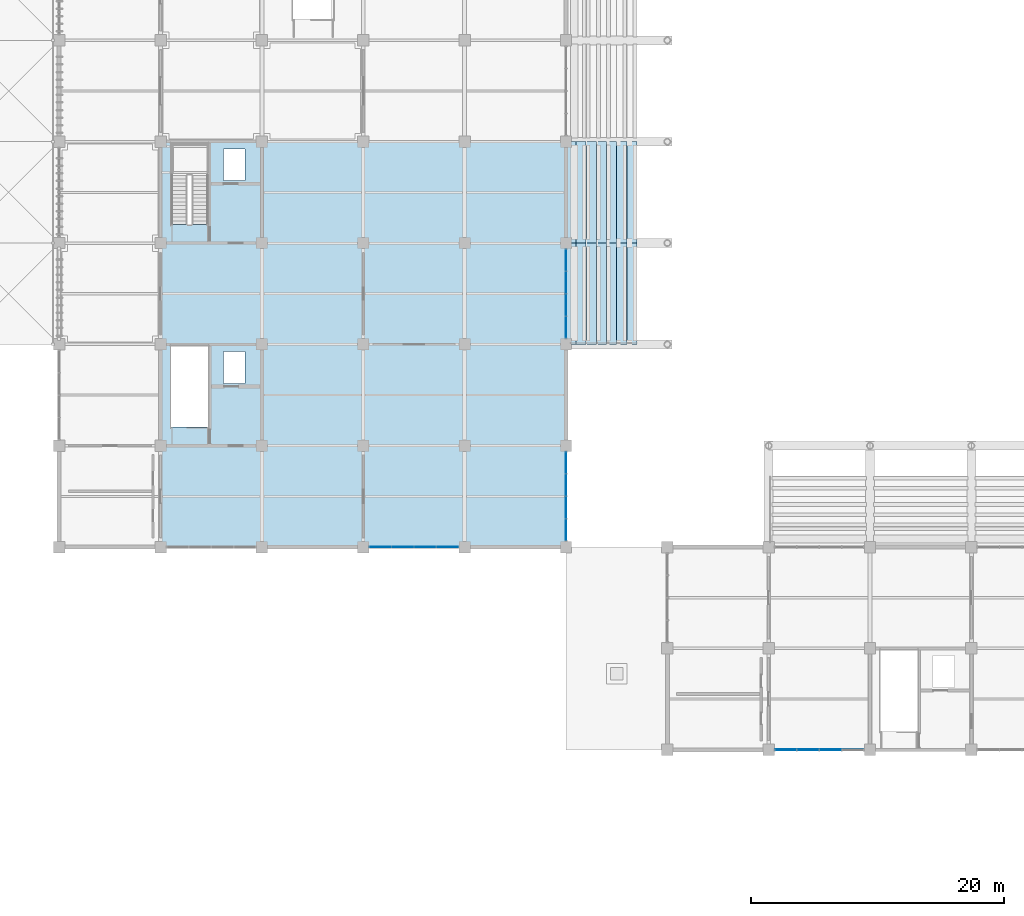
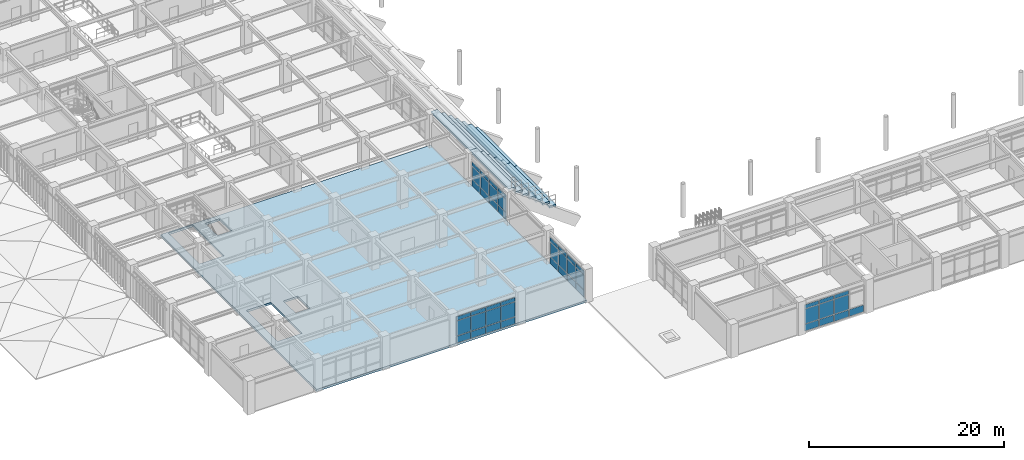
# One storey, part 65 of 118: 46 plates, 15 slabs, 4 elements without a shape of their own.
"""IFC4 building model written with IfcOpenShell, lengths in metres."""

from ifc_helpers import new_model, si_unit, direction, frame, origin, origin_2d, place, context, subcontext, project, spatial, polyline, rectangle, outline, extrude, material, layer, layer_set, type_object, element, aggregate, save


model = new_model("IFC4")

# Units and contexts
model_context = context("Model", 3, precision=1e-05, world=origin(), true_north=direction((0.0, 1.0)))
body_context = subcontext(model_context, "Body", "Model", "MODEL_VIEW")
ifc_project = project(units=[si_unit("LENGTHUNIT", "METRE"), si_unit("AREAUNIT", "SQUARE_METRE"), si_unit("VOLUMEUNIT", "CUBIC_METRE"), si_unit("PLANEANGLEUNIT", "RADIAN"), si_unit("MASSUNIT", "GRAM", prefix="KILO")], contexts=[model_context])

# Site, building, storey
site_placement = place(None, origin())
site = spatial("IfcSite", under=ifc_project, at=site_placement, CompositionType="ELEMENT")
building_placement = place(site_placement, origin())
building = spatial("IfcBuilding", under=site, at=building_placement, Name="Haebicheon Civic Stadium", CompositionType="ELEMENT")
storey_placement = place(building_placement, frame((0.0, 0.0, 14.39990234375)))
storey = spatial("IfcBuildingStorey", under=building, at=storey_placement, Name="L04", CompositionType="ELEMENT", Elevation=14.39990234375)

# Curtain wall, plates
ifc_material_1 = material(Name="Anodised aluminium and laminated glass", Category="aluminium")
ifc_layer_1 = layer(ifc_material_1, 0.179931640625, Name="Anodised aluminium and laminated glass")
ifc_layer_set_1 = layer_set([ifc_layer_1], Name="Anodised aluminium and laminated glass")
curtain_wall_type_1 = type_object("IfcCurtainWallType", Name="CW-7100x3350", PredefinedType="NOTDEFINED", material=ifc_layer_set_1)
curtain_wall_1_placement = place(storey_placement, origin())
curtain_wall_1 = element("IfcCurtainWall", 1, at=curtain_wall_1_placement, inside=storey, type_object=curtain_wall_type_1, material=ifc_layer_set_1, Name="L04 unitised curtain wall 115", PredefinedType="NOTDEFINED")
ifc_material_2 = material(Name="Double low-e acoustic laminated glass", Category="glass")
ifc_layer_2 = layer(ifc_material_2, 0.035888671875, Name="Double low-e acoustic laminated glass")
ifc_layer_set_2 = layer_set([ifc_layer_2], Name="Double low-e acoustic laminated glass")
plate_type_1 = type_object("IfcPlateType", Name="CWP-GLZ-36", PredefinedType="CURTAIN_PANEL", material=ifc_layer_set_2)
plate_1_placement = place(storey_placement, frame((49.35498046875, 32.0, 0.93505859375), z_axis=(0.0, 0.0, 1.0), x_axis=(1.0, 0.0, 0.0)))
plate_1 = element("IfcPlate", 2, at=plate_1_placement, type_object=plate_type_1, material=ifc_layer_set_2, Name="CW-L04-115 vision panel 1.2", PredefinedType="CURTAIN_PANEL", context=body_context, shape_type="SweptSolid", body=[
    extrude(rectangle(XDim=1.669921875, YDim=0.035888671875, at=origin_2d()), origin(), (0.0, 0.0, 1.0), 1.830078125),
])
plate_2_placement = place(storey_placement, frame((51.112060546875, 32.0, 0.93505859375), z_axis=(0.0, 0.0, 1.0), x_axis=(1.0, 0.0, 0.0)))
plate_2 = element("IfcPlate", 3, at=plate_2_placement, type_object=plate_type_1, material=ifc_layer_set_2, Name="CW-L04-115 vision panel 2.2", PredefinedType="CURTAIN_PANEL", context=body_context, shape_type="SweptSolid", body=[
    extrude(rectangle(XDim=1.705078125, YDim=0.035888671875, at=origin_2d()), origin(), (0.0, 0.0, 1.0), 1.830078125),
])
plate_3_placement = place(storey_placement, frame((52.887939453125, 32.0, 0.93505859375), z_axis=(0.0, 0.0, 1.0), x_axis=(1.0, 0.0, 0.0)))
plate_3 = element("IfcPlate", 4, at=plate_3_placement, type_object=plate_type_1, material=ifc_layer_set_2, Name="CW-L04-115 vision panel 3.2", PredefinedType="CURTAIN_PANEL", context=body_context, shape_type="SweptSolid", body=[
    extrude(rectangle(XDim=1.705078125, YDim=0.035888671875, at=origin_2d()), origin(), (0.0, 0.0, 1.0), 1.830078125),
])
plate_4_placement = place(storey_placement, frame((54.64501953125, 32.0, 0.93505859375), z_axis=(0.0, 0.0, 1.0), x_axis=(1.0, 0.0, 0.0)))
plate_4 = element("IfcPlate", 5, at=plate_4_placement, type_object=plate_type_1, material=ifc_layer_set_2, Name="CW-L04-115 vision panel 4.2", PredefinedType="CURTAIN_PANEL", context=body_context, shape_type="SweptSolid", body=[
    extrude(rectangle(XDim=1.669921875, YDim=0.035888671875, at=origin_2d()), origin(), (0.0, 0.0, 1.0), 1.830078125),
])

curtain_wall_2_placement = place(storey_placement, origin())
curtain_wall_2 = element("IfcCurtainWall", 6, at=curtain_wall_2_placement, inside=storey, type_object=curtain_wall_type_1, material=ifc_layer_set_1, Name="L04 unitised curtain wall 116", PredefinedType="NOTDEFINED")
plate_5_placement = place(storey_placement, frame((64.0, 33.35498046875, 0.93505859375), z_axis=(0.0, 0.0, 1.0), x_axis=(0.0, 1.0, 0.0)))
plate_5 = element("IfcPlate", 7, at=plate_5_placement, type_object=plate_type_1, material=ifc_layer_set_2, Name="CW-L04-116 vision panel 1.2", PredefinedType="CURTAIN_PANEL", context=body_context, shape_type="SweptSolid", body=[
    extrude(rectangle(XDim=1.669921875, YDim=0.035888671875, at=origin_2d()), origin(), (0.0, 0.0, 1.0), 1.830078125),
])
plate_6_placement = place(storey_placement, frame((64.0, 35.112060546875, 0.93505859375), z_axis=(0.0, 0.0, 1.0), x_axis=(0.0, 1.0, 0.0)))
plate_6 = element("IfcPlate", 8, at=plate_6_placement, type_object=plate_type_1, material=ifc_layer_set_2, Name="CW-L04-116 vision panel 2.2", PredefinedType="CURTAIN_PANEL", context=body_context, shape_type="SweptSolid", body=[
    extrude(rectangle(XDim=1.705078125, YDim=0.035888671875, at=origin_2d()), origin(), (0.0, 0.0, 1.0), 1.830078125),
])
plate_7_placement = place(storey_placement, frame((64.0, 36.887939453125, 0.93505859375), z_axis=(0.0, 0.0, 1.0), x_axis=(0.0, 1.0, 0.0)))
plate_7 = element("IfcPlate", 9, at=plate_7_placement, type_object=plate_type_1, material=ifc_layer_set_2, Name="CW-L04-116 vision panel 3.2", PredefinedType="CURTAIN_PANEL", context=body_context, shape_type="SweptSolid", body=[
    extrude(rectangle(XDim=1.705078125, YDim=0.035888671875, at=origin_2d()), origin(), (0.0, 0.0, 1.0), 1.830078125),
])
plate_8_placement = place(storey_placement, frame((64.0, 38.64501953125, 0.93505859375), z_axis=(0.0, 0.0, 1.0), x_axis=(0.0, 1.0, 0.0)))
plate_8 = element("IfcPlate", 10, at=plate_8_placement, type_object=plate_type_1, material=ifc_layer_set_2, Name="CW-L04-116 vision panel 4.2", PredefinedType="CURTAIN_PANEL", context=body_context, shape_type="SweptSolid", body=[
    extrude(rectangle(XDim=1.669921875, YDim=0.035888671875, at=origin_2d()), origin(), (0.0, 0.0, 1.0), 1.830078125),
])

ifc_material_3 = material(Name="Anodised aluminium and laminated glass", Category="aluminium")
ifc_layer_3 = layer(ifc_material_3, 0.179931640625, Name="Anodised aluminium and laminated glass")
ifc_layer_set_3 = layer_set([ifc_layer_3], Name="Anodised aluminium and laminated glass")
curtain_wall_type_2 = type_object("IfcCurtainWallType", Name="CW-7100x3100", PredefinedType="NOTDEFINED", material=ifc_layer_set_3)
curtain_wall_3_placement = place(storey_placement, origin())
curtain_wall_3 = element("IfcCurtainWall", 11, at=curtain_wall_3_placement, inside=storey, type_object=curtain_wall_type_2, material=ifc_layer_set_3, Name="L04 unitised curtain wall 117", PredefinedType="NOTDEFINED")
plate_9_placement = place(storey_placement, frame((64.0, 49.35498046875, 0.93505859375), z_axis=(0.0, 0.0, 1.0), x_axis=(0.0, 1.0, 0.0)))
plate_9 = element("IfcPlate", 12, at=plate_9_placement, type_object=plate_type_1, material=ifc_layer_set_2, Name="CW-L04-117 vision panel 1.2", PredefinedType="CURTAIN_PANEL", context=body_context, shape_type="SweptSolid", body=[
    extrude(rectangle(XDim=1.669921875, YDim=0.035888671875, at=origin_2d()), origin(), (0.0, 0.0, 1.0), 1.580078125),
])
plate_10_placement = place(storey_placement, frame((64.0, 51.112060546875, 0.93505859375), z_axis=(0.0, 0.0, 1.0), x_axis=(0.0, 1.0, 0.0)))
plate_10 = element("IfcPlate", 13, at=plate_10_placement, type_object=plate_type_1, material=ifc_layer_set_2, Name="CW-L04-117 vision panel 2.2", PredefinedType="CURTAIN_PANEL", context=body_context, shape_type="SweptSolid", body=[
    extrude(rectangle(XDim=1.705078125, YDim=0.035888671875, at=origin_2d()), origin(), (0.0, 0.0, 1.0), 1.580078125),
])
plate_11_placement = place(storey_placement, frame((64.0, 52.887939453125, 0.93505859375), z_axis=(0.0, 0.0, 1.0), x_axis=(0.0, 1.0, 0.0)))
plate_11 = element("IfcPlate", 14, at=plate_11_placement, type_object=plate_type_1, material=ifc_layer_set_2, Name="CW-L04-117 vision panel 3.2", PredefinedType="CURTAIN_PANEL", context=body_context, shape_type="SweptSolid", body=[
    extrude(rectangle(XDim=1.705078125, YDim=0.035888671875, at=origin_2d()), origin(), (0.0, 0.0, 1.0), 1.580078125),
])
plate_12_placement = place(storey_placement, frame((64.0, 54.64501953125, 0.93505859375), z_axis=(0.0, 0.0, 1.0), x_axis=(0.0, 1.0, 0.0)))
plate_12 = element("IfcPlate", 15, at=plate_12_placement, type_object=plate_type_1, material=ifc_layer_set_2, Name="CW-L04-117 vision panel 4.2", PredefinedType="CURTAIN_PANEL", context=body_context, shape_type="SweptSolid", body=[
    extrude(rectangle(XDim=1.669921875, YDim=0.035888671875, at=origin_2d()), origin(), (0.0, 0.0, 1.0), 1.580078125),
])

curtain_wall_4_placement = place(storey_placement, origin())
curtain_wall_4 = element("IfcCurtainWall", 16, at=curtain_wall_4_placement, inside=storey, type_object=curtain_wall_type_1, material=ifc_layer_set_1, Name="L04 unitised curtain wall 129", PredefinedType="NOTDEFINED")
plate_13_placement = place(storey_placement, frame((81.35498046875, 16.0, 0.93505859375), z_axis=(0.0, 0.0, 1.0), x_axis=(1.0, 0.0, 0.0)))
plate_13 = element("IfcPlate", 17, at=plate_13_placement, type_object=plate_type_1, material=ifc_layer_set_2, Name="CW-L04-129 vision panel 1.2", PredefinedType="CURTAIN_PANEL", context=body_context, shape_type="SweptSolid", body=[
    extrude(rectangle(XDim=1.669921875, YDim=0.035888671875, at=origin_2d()), origin(), (0.0, 0.0, 1.0), 1.830078125),
])
plate_14_placement = place(storey_placement, frame((83.112060546875, 16.0, 0.93505859375), z_axis=(0.0, 0.0, 1.0), x_axis=(1.0, 0.0, 0.0)))
plate_14 = element("IfcPlate", 18, at=plate_14_placement, type_object=plate_type_1, material=ifc_layer_set_2, Name="CW-L04-129 vision panel 2.2", PredefinedType="CURTAIN_PANEL", context=body_context, shape_type="SweptSolid", body=[
    extrude(rectangle(XDim=1.705078125, YDim=0.035888671875, at=origin_2d()), origin(), (0.0, 0.0, 1.0), 1.830078125),
])
plate_15_placement = place(storey_placement, frame((84.887939453125, 16.0, 0.93505859375), z_axis=(0.0, 0.0, 1.0), x_axis=(1.0, 0.0, 0.0)))
plate_15 = element("IfcPlate", 19, at=plate_15_placement, type_object=plate_type_1, material=ifc_layer_set_2, Name="CW-L04-129 vision panel 3.2", PredefinedType="CURTAIN_PANEL", context=body_context, shape_type="SweptSolid", body=[
    extrude(rectangle(XDim=1.705078125, YDim=0.035888671875, at=origin_2d()), origin(), (0.0, 0.0, 1.0), 1.830078125),
])

# Plate
ifc_material_4 = material(Name="Anodised aluminium 6063-T6", Category="aluminium")
ifc_layer_4 = layer(ifc_material_4, 0.053955078125, Name="Anodised aluminium 6063-T6")
ifc_layer_set_4 = layer_set([ifc_layer_4], Name="Anodised aluminium 6063-T6")
plate_type_2 = type_object("IfcPlateType", Name="CWP-SPD-54", PredefinedType="CURTAIN_PANEL", material=ifc_layer_set_4)
plate_16_placement = place(storey_placement, frame((49.35498046875, 32.0, 0.03515625), z_axis=(0.0, 0.0, 1.0), x_axis=(1.0, 0.0, 0.0)))
plate_16 = element("IfcPlate", 20, at=plate_16_placement, type_object=plate_type_2, material=ifc_layer_set_4, Name="CW-L04-115 spandrel panel 1.1", PredefinedType="CURTAIN_PANEL", context=body_context, shape_type="SweptSolid", body=[
    extrude(rectangle(XDim=1.669921875, YDim=0.053955078125, at=origin_2d()), origin(), (0.0, 0.0, 1.0), 0.830078125),
])

plate_17_placement = place(storey_placement, frame((49.35498046875, 32.0, 2.835205078125), z_axis=(0.0, 0.0, 1.0), x_axis=(1.0, 0.0, 0.0)))
plate_17 = element("IfcPlate", 21, at=plate_17_placement, type_object=plate_type_2, material=ifc_layer_set_4, Name="CW-L04-115 spandrel panel 1.3", PredefinedType="CURTAIN_PANEL", context=body_context, shape_type="SweptSolid", body=[
    extrude(rectangle(XDim=1.669921875, YDim=0.053955078125, at=origin_2d()), origin(), (0.0, 0.0, 1.0), 0.47998046875),
])

plate_18_placement = place(storey_placement, frame((51.112060546875, 32.0, 0.03515625), z_axis=(0.0, 0.0, 1.0), x_axis=(1.0, 0.0, 0.0)))
plate_18 = element("IfcPlate", 22, at=plate_18_placement, type_object=plate_type_2, material=ifc_layer_set_4, Name="CW-L04-115 spandrel panel 2.1", PredefinedType="CURTAIN_PANEL", context=body_context, shape_type="SweptSolid", body=[
    extrude(rectangle(XDim=1.705078125, YDim=0.053955078125, at=origin_2d()), origin(), (0.0, 0.0, 1.0), 0.830078125),
])

plate_19_placement = place(storey_placement, frame((51.112060546875, 32.0, 2.835205078125), z_axis=(0.0, 0.0, 1.0), x_axis=(1.0, 0.0, 0.0)))
plate_19 = element("IfcPlate", 23, at=plate_19_placement, type_object=plate_type_2, material=ifc_layer_set_4, Name="CW-L04-115 spandrel panel 2.3", PredefinedType="CURTAIN_PANEL", context=body_context, shape_type="SweptSolid", body=[
    extrude(rectangle(XDim=1.705078125, YDim=0.053955078125, at=origin_2d()), origin(), (0.0, 0.0, 1.0), 0.47998046875),
])

plate_20_placement = place(storey_placement, frame((52.887939453125, 32.0, 0.03515625), z_axis=(0.0, 0.0, 1.0), x_axis=(1.0, 0.0, 0.0)))
plate_20 = element("IfcPlate", 24, at=plate_20_placement, type_object=plate_type_2, material=ifc_layer_set_4, Name="CW-L04-115 spandrel panel 3.1", PredefinedType="CURTAIN_PANEL", context=body_context, shape_type="SweptSolid", body=[
    extrude(rectangle(XDim=1.705078125, YDim=0.053955078125, at=origin_2d()), origin(), (0.0, 0.0, 1.0), 0.830078125),
])

plate_21_placement = place(storey_placement, frame((52.887939453125, 32.0, 2.835205078125), z_axis=(0.0, 0.0, 1.0), x_axis=(1.0, 0.0, 0.0)))
plate_21 = element("IfcPlate", 25, at=plate_21_placement, type_object=plate_type_2, material=ifc_layer_set_4, Name="CW-L04-115 spandrel panel 3.3", PredefinedType="CURTAIN_PANEL", context=body_context, shape_type="SweptSolid", body=[
    extrude(rectangle(XDim=1.705078125, YDim=0.053955078125, at=origin_2d()), origin(), (0.0, 0.0, 1.0), 0.47998046875),
])

plate_22_placement = place(storey_placement, frame((54.64501953125, 32.0, 0.03515625), z_axis=(0.0, 0.0, 1.0), x_axis=(1.0, 0.0, 0.0)))
plate_22 = element("IfcPlate", 26, at=plate_22_placement, type_object=plate_type_2, material=ifc_layer_set_4, Name="CW-L04-115 spandrel panel 4.1", PredefinedType="CURTAIN_PANEL", context=body_context, shape_type="SweptSolid", body=[
    extrude(rectangle(XDim=1.669921875, YDim=0.053955078125, at=origin_2d()), origin(), (0.0, 0.0, 1.0), 0.830078125),
])

plate_23_placement = place(storey_placement, frame((54.64501953125, 32.0, 2.835205078125), z_axis=(0.0, 0.0, 1.0), x_axis=(1.0, 0.0, 0.0)))
plate_23 = element("IfcPlate", 27, at=plate_23_placement, type_object=plate_type_2, material=ifc_layer_set_4, Name="CW-L04-115 spandrel panel 4.3", PredefinedType="CURTAIN_PANEL", context=body_context, shape_type="SweptSolid", body=[
    extrude(rectangle(XDim=1.669921875, YDim=0.053955078125, at=origin_2d()), origin(), (0.0, 0.0, 1.0), 0.47998046875),
])

aggregate(curtain_wall_1, [plate_16, plate_1, plate_17, plate_18, plate_2, plate_19, plate_20, plate_3, plate_21, plate_22, plate_4, plate_23])

plate_24_placement = place(storey_placement, frame((64.0, 33.35498046875, 0.03515625), z_axis=(0.0, 0.0, 1.0), x_axis=(0.0, 1.0, 0.0)))
plate_24 = element("IfcPlate", 28, at=plate_24_placement, type_object=plate_type_2, material=ifc_layer_set_4, Name="CW-L04-116 spandrel panel 1.1", PredefinedType="CURTAIN_PANEL", context=body_context, shape_type="SweptSolid", body=[
    extrude(rectangle(XDim=1.669921875, YDim=0.053955078125, at=origin_2d()), origin(), (0.0, 0.0, 1.0), 0.830078125),
])

plate_25_placement = place(storey_placement, frame((64.0, 33.35498046875, 2.835205078125), z_axis=(0.0, 0.0, 1.0), x_axis=(0.0, 1.0, 0.0)))
plate_25 = element("IfcPlate", 29, at=plate_25_placement, type_object=plate_type_2, material=ifc_layer_set_4, Name="CW-L04-116 spandrel panel 1.3", PredefinedType="CURTAIN_PANEL", context=body_context, shape_type="SweptSolid", body=[
    extrude(rectangle(XDim=1.669921875, YDim=0.053955078125, at=origin_2d()), origin(), (0.0, 0.0, 1.0), 0.47998046875),
])

plate_26_placement = place(storey_placement, frame((64.0, 35.112060546875, 0.03515625), z_axis=(0.0, 0.0, 1.0), x_axis=(0.0, 1.0, 0.0)))
plate_26 = element("IfcPlate", 30, at=plate_26_placement, type_object=plate_type_2, material=ifc_layer_set_4, Name="CW-L04-116 spandrel panel 2.1", PredefinedType="CURTAIN_PANEL", context=body_context, shape_type="SweptSolid", body=[
    extrude(rectangle(XDim=1.705078125, YDim=0.053955078125, at=origin_2d()), origin(), (0.0, 0.0, 1.0), 0.830078125),
])

plate_27_placement = place(storey_placement, frame((64.0, 35.112060546875, 2.835205078125), z_axis=(0.0, 0.0, 1.0), x_axis=(0.0, 1.0, 0.0)))
plate_27 = element("IfcPlate", 31, at=plate_27_placement, type_object=plate_type_2, material=ifc_layer_set_4, Name="CW-L04-116 spandrel panel 2.3", PredefinedType="CURTAIN_PANEL", context=body_context, shape_type="SweptSolid", body=[
    extrude(rectangle(XDim=1.705078125, YDim=0.053955078125, at=origin_2d()), origin(), (0.0, 0.0, 1.0), 0.47998046875),
])

plate_28_placement = place(storey_placement, frame((64.0, 36.887939453125, 0.03515625), z_axis=(0.0, 0.0, 1.0), x_axis=(0.0, 1.0, 0.0)))
plate_28 = element("IfcPlate", 32, at=plate_28_placement, type_object=plate_type_2, material=ifc_layer_set_4, Name="CW-L04-116 spandrel panel 3.1", PredefinedType="CURTAIN_PANEL", context=body_context, shape_type="SweptSolid", body=[
    extrude(rectangle(XDim=1.705078125, YDim=0.053955078125, at=origin_2d()), origin(), (0.0, 0.0, 1.0), 0.830078125),
])

plate_29_placement = place(storey_placement, frame((64.0, 36.887939453125, 2.835205078125), z_axis=(0.0, 0.0, 1.0), x_axis=(0.0, 1.0, 0.0)))
plate_29 = element("IfcPlate", 33, at=plate_29_placement, type_object=plate_type_2, material=ifc_layer_set_4, Name="CW-L04-116 spandrel panel 3.3", PredefinedType="CURTAIN_PANEL", context=body_context, shape_type="SweptSolid", body=[
    extrude(rectangle(XDim=1.705078125, YDim=0.053955078125, at=origin_2d()), origin(), (0.0, 0.0, 1.0), 0.47998046875),
])

plate_30_placement = place(storey_placement, frame((64.0, 38.64501953125, 0.03515625), z_axis=(0.0, 0.0, 1.0), x_axis=(0.0, 1.0, 0.0)))
plate_30 = element("IfcPlate", 34, at=plate_30_placement, type_object=plate_type_2, material=ifc_layer_set_4, Name="CW-L04-116 spandrel panel 4.1", PredefinedType="CURTAIN_PANEL", context=body_context, shape_type="SweptSolid", body=[
    extrude(rectangle(XDim=1.669921875, YDim=0.053955078125, at=origin_2d()), origin(), (0.0, 0.0, 1.0), 0.830078125),
])

plate_31_placement = place(storey_placement, frame((64.0, 38.64501953125, 2.835205078125), z_axis=(0.0, 0.0, 1.0), x_axis=(0.0, 1.0, 0.0)))
plate_31 = element("IfcPlate", 35, at=plate_31_placement, type_object=plate_type_2, material=ifc_layer_set_4, Name="CW-L04-116 spandrel panel 4.3", PredefinedType="CURTAIN_PANEL", context=body_context, shape_type="SweptSolid", body=[
    extrude(rectangle(XDim=1.669921875, YDim=0.053955078125, at=origin_2d()), origin(), (0.0, 0.0, 1.0), 0.47998046875),
])

aggregate(curtain_wall_2, [plate_24, plate_5, plate_25, plate_26, plate_6, plate_27, plate_28, plate_7, plate_29, plate_30, plate_8, plate_31])

plate_32_placement = place(storey_placement, frame((64.0, 49.35498046875, 0.03515625), z_axis=(0.0, 0.0, 1.0), x_axis=(0.0, 1.0, 0.0)))
plate_32 = element("IfcPlate", 36, at=plate_32_placement, type_object=plate_type_2, material=ifc_layer_set_4, Name="CW-L04-117 spandrel panel 1.1", PredefinedType="CURTAIN_PANEL", context=body_context, shape_type="SweptSolid", body=[
    extrude(rectangle(XDim=1.669921875, YDim=0.053955078125, at=origin_2d()), origin(), (0.0, 0.0, 1.0), 0.830078125),
])

plate_33_placement = place(storey_placement, frame((64.0, 49.35498046875, 2.585205078125), z_axis=(0.0, 0.0, 1.0), x_axis=(0.0, 1.0, 0.0)))
plate_33 = element("IfcPlate", 37, at=plate_33_placement, type_object=plate_type_2, material=ifc_layer_set_4, Name="CW-L04-117 spandrel panel 1.3", PredefinedType="CURTAIN_PANEL", context=body_context, shape_type="SweptSolid", body=[
    extrude(rectangle(XDim=1.669921875, YDim=0.053955078125, at=origin_2d()), origin(), (0.0, 0.0, 1.0), 0.47998046875),
])

plate_34_placement = place(storey_placement, frame((64.0, 51.112060546875, 0.03515625), z_axis=(0.0, 0.0, 1.0), x_axis=(0.0, 1.0, 0.0)))
plate_34 = element("IfcPlate", 38, at=plate_34_placement, type_object=plate_type_2, material=ifc_layer_set_4, Name="CW-L04-117 spandrel panel 2.1", PredefinedType="CURTAIN_PANEL", context=body_context, shape_type="SweptSolid", body=[
    extrude(rectangle(XDim=1.705078125, YDim=0.053955078125, at=origin_2d()), origin(), (0.0, 0.0, 1.0), 0.830078125),
])

plate_35_placement = place(storey_placement, frame((64.0, 51.112060546875, 2.585205078125), z_axis=(0.0, 0.0, 1.0), x_axis=(0.0, 1.0, 0.0)))
plate_35 = element("IfcPlate", 39, at=plate_35_placement, type_object=plate_type_2, material=ifc_layer_set_4, Name="CW-L04-117 spandrel panel 2.3", PredefinedType="CURTAIN_PANEL", context=body_context, shape_type="SweptSolid", body=[
    extrude(rectangle(XDim=1.705078125, YDim=0.053955078125, at=origin_2d()), origin(), (0.0, 0.0, 1.0), 0.47998046875),
])

plate_36_placement = place(storey_placement, frame((64.0, 52.887939453125, 0.03515625), z_axis=(0.0, 0.0, 1.0), x_axis=(0.0, 1.0, 0.0)))
plate_36 = element("IfcPlate", 40, at=plate_36_placement, type_object=plate_type_2, material=ifc_layer_set_4, Name="CW-L04-117 spandrel panel 3.1", PredefinedType="CURTAIN_PANEL", context=body_context, shape_type="SweptSolid", body=[
    extrude(rectangle(XDim=1.705078125, YDim=0.053955078125, at=origin_2d()), origin(), (0.0, 0.0, 1.0), 0.830078125),
])

plate_37_placement = place(storey_placement, frame((64.0, 52.887939453125, 2.585205078125), z_axis=(0.0, 0.0, 1.0), x_axis=(0.0, 1.0, 0.0)))
plate_37 = element("IfcPlate", 41, at=plate_37_placement, type_object=plate_type_2, material=ifc_layer_set_4, Name="CW-L04-117 spandrel panel 3.3", PredefinedType="CURTAIN_PANEL", context=body_context, shape_type="SweptSolid", body=[
    extrude(rectangle(XDim=1.705078125, YDim=0.053955078125, at=origin_2d()), origin(), (0.0, 0.0, 1.0), 0.47998046875),
])

plate_38_placement = place(storey_placement, frame((64.0, 54.64501953125, 0.03515625), z_axis=(0.0, 0.0, 1.0), x_axis=(0.0, 1.0, 0.0)))
plate_38 = element("IfcPlate", 42, at=plate_38_placement, type_object=plate_type_2, material=ifc_layer_set_4, Name="CW-L04-117 spandrel panel 4.1", PredefinedType="CURTAIN_PANEL", context=body_context, shape_type="SweptSolid", body=[
    extrude(rectangle(XDim=1.669921875, YDim=0.053955078125, at=origin_2d()), origin(), (0.0, 0.0, 1.0), 0.830078125),
])

plate_39_placement = place(storey_placement, frame((64.0, 54.64501953125, 2.585205078125), z_axis=(0.0, 0.0, 1.0), x_axis=(0.0, 1.0, 0.0)))
plate_39 = element("IfcPlate", 43, at=plate_39_placement, type_object=plate_type_2, material=ifc_layer_set_4, Name="CW-L04-117 spandrel panel 4.3", PredefinedType="CURTAIN_PANEL", context=body_context, shape_type="SweptSolid", body=[
    extrude(rectangle(XDim=1.669921875, YDim=0.053955078125, at=origin_2d()), origin(), (0.0, 0.0, 1.0), 0.47998046875),
])

aggregate(curtain_wall_3, [plate_32, plate_9, plate_33, plate_34, plate_10, plate_35, plate_36, plate_11, plate_37, plate_38, plate_12, plate_39])

plate_40_placement = place(storey_placement, frame((81.35498046875, 16.0, 0.03515625), z_axis=(0.0, 0.0, 1.0), x_axis=(1.0, 0.0, 0.0)))
plate_40 = element("IfcPlate", 44, at=plate_40_placement, type_object=plate_type_2, material=ifc_layer_set_4, Name="CW-L04-129 spandrel panel 1.1", PredefinedType="CURTAIN_PANEL", context=body_context, shape_type="SweptSolid", body=[
    extrude(rectangle(XDim=1.669921875, YDim=0.053955078125, at=origin_2d()), origin(), (0.0, 0.0, 1.0), 0.830078125),
])

plate_41_placement = place(storey_placement, frame((81.35498046875, 16.0, 2.835205078125), z_axis=(0.0, 0.0, 1.0), x_axis=(1.0, 0.0, 0.0)))
plate_41 = element("IfcPlate", 45, at=plate_41_placement, type_object=plate_type_2, material=ifc_layer_set_4, Name="CW-L04-129 spandrel panel 1.3", PredefinedType="CURTAIN_PANEL", context=body_context, shape_type="SweptSolid", body=[
    extrude(rectangle(XDim=1.669921875, YDim=0.053955078125, at=origin_2d()), origin(), (0.0, 0.0, 1.0), 0.47998046875),
])

plate_42_placement = place(storey_placement, frame((83.112060546875, 16.0, 0.03515625), z_axis=(0.0, 0.0, 1.0), x_axis=(1.0, 0.0, 0.0)))
plate_42 = element("IfcPlate", 46, at=plate_42_placement, type_object=plate_type_2, material=ifc_layer_set_4, Name="CW-L04-129 spandrel panel 2.1", PredefinedType="CURTAIN_PANEL", context=body_context, shape_type="SweptSolid", body=[
    extrude(rectangle(XDim=1.705078125, YDim=0.053955078125, at=origin_2d()), origin(), (0.0, 0.0, 1.0), 0.830078125),
])

plate_43_placement = place(storey_placement, frame((83.112060546875, 16.0, 2.835205078125), z_axis=(0.0, 0.0, 1.0), x_axis=(1.0, 0.0, 0.0)))
plate_43 = element("IfcPlate", 47, at=plate_43_placement, type_object=plate_type_2, material=ifc_layer_set_4, Name="CW-L04-129 spandrel panel 2.3", PredefinedType="CURTAIN_PANEL", context=body_context, shape_type="SweptSolid", body=[
    extrude(rectangle(XDim=1.705078125, YDim=0.053955078125, at=origin_2d()), origin(), (0.0, 0.0, 1.0), 0.47998046875),
])

plate_44_placement = place(storey_placement, frame((84.887939453125, 16.0, 0.03515625), z_axis=(0.0, 0.0, 1.0), x_axis=(1.0, 0.0, 0.0)))
plate_44 = element("IfcPlate", 48, at=plate_44_placement, type_object=plate_type_2, material=ifc_layer_set_4, Name="CW-L04-129 spandrel panel 3.1", PredefinedType="CURTAIN_PANEL", context=body_context, shape_type="SweptSolid", body=[
    extrude(rectangle(XDim=1.705078125, YDim=0.053955078125, at=origin_2d()), origin(), (0.0, 0.0, 1.0), 0.830078125),
])

plate_45_placement = place(storey_placement, frame((84.887939453125, 16.0, 2.835205078125), z_axis=(0.0, 0.0, 1.0), x_axis=(1.0, 0.0, 0.0)))
plate_45 = element("IfcPlate", 49, at=plate_45_placement, type_object=plate_type_2, material=ifc_layer_set_4, Name="CW-L04-129 spandrel panel 3.3", PredefinedType="CURTAIN_PANEL", context=body_context, shape_type="SweptSolid", body=[
    extrude(rectangle(XDim=1.705078125, YDim=0.053955078125, at=origin_2d()), origin(), (0.0, 0.0, 1.0), 0.47998046875),
])

plate_46_placement = place(storey_placement, frame((86.64501953125, 16.0, 0.03515625), z_axis=(0.0, 0.0, 1.0), x_axis=(1.0, 0.0, 0.0)))
plate_46 = element("IfcPlate", 50, at=plate_46_placement, type_object=plate_type_2, material=ifc_layer_set_4, Name="CW-L04-129 spandrel panel 4.1", PredefinedType="CURTAIN_PANEL", context=body_context, shape_type="SweptSolid", body=[
    extrude(rectangle(XDim=1.669921875, YDim=0.053955078125, at=origin_2d()), origin(), (0.0, 0.0, 1.0), 0.830078125),
])

aggregate(curtain_wall_4, [plate_40, plate_13, plate_41, plate_42, plate_14, plate_43, plate_44, plate_15, plate_45, plate_46])

# Slabs
ifc_material_5 = material(Name="Concrete C40/50", Category="concrete")
ifc_layer_5 = layer(ifc_material_5, 0.260009765625, Name="Concrete C40/50")
ifc_layer_set_5 = layer_set([ifc_layer_5], Name="Concrete C40/50")
slab_type_1 = type_object("IfcSlabType", Name="SLB-FLR-260", PredefinedType="FLOOR", material=ifc_layer_set_5)
slab_1_placement = place(storey_placement, frame((0.0, 0.0, -0.260009765625)))
element("IfcSlab", 51, at=slab_1_placement, inside=storey, type_object=slab_type_1, material=ifc_layer_set_5, Name="L04 V1 structural slab 5.1", PredefinedType="FLOOR", context=body_context, shape_type="SweptSolid", body=[
    extrude(outline(polyline([(32.0, 56.0), (32.0, 64.0), (40.0, 64.0), (48.0, 64.0), (56.0, 64.0), (64.0, 64.0), (64.0, 56.0), (64.0, 48.0), (64.0, 40.0), (64.0, 32.0), (56.0, 32.0), (48.0, 32.0), (40.0, 32.0), (32.0, 32.0), (32.0, 40.0), (32.0, 48.0), (32.0, 56.0)]), holes=[polyline([(32.840087890625, 41.4599609375), (35.739990234375, 41.4599609375), (35.739990234375, 47.840087890625), (32.840087890625, 47.840087890625), (32.840087890625, 41.4599609375)]), polyline([(36.969970703125, 44.929931640625), (38.669921875, 44.929931640625), (38.669921875, 47.429931640625), (36.969970703125, 47.429931640625), (36.969970703125, 44.929931640625)]), polyline([(32.840087890625, 57.4599609375), (35.739990234375, 57.4599609375), (35.739990234375, 63.840087890625), (32.840087890625, 63.840087890625), (32.840087890625, 57.4599609375)]), polyline([(36.969970703125, 60.929931640625), (38.669921875, 60.929931640625), (38.669921875, 63.429931640625), (36.969970703125, 63.429931640625), (36.969970703125, 60.929931640625)])]), origin(), (0.0, 0.0, 1.0), 0.260009765625),
])
ifc_material_6 = material(Name="Precast concrete C40/50", Category="concrete")
ifc_layer_6 = layer(ifc_material_6, 0.239990234375, Name="Precast concrete C40/50")
ifc_layer_set_6 = layer_set([ifc_layer_6], Name="Precast concrete C40/50")
slab_type_2 = type_object("IfcSlabType", Name="SLB-TIER-240", PredefinedType="USERDEFINED", material=ifc_layer_set_6)
slab_2_placement = place(storey_placement, frame((0.0, 0.0, 0.093017578125)))
element("IfcSlab", 52, at=slab_2_placement, inside=storey, type_object=slab_type_2, material=ifc_layer_set_6, Name="TIER-W-U precast seating tier bay 1 row-band 4", ObjectType="SEATING TIER", PredefinedType="USERDEFINED", context=body_context, shape_type="SweptSolid", body=[
    extrude(outline(polyline([(68.800048828125, 48.0), (69.60009765625, 48.0), (69.60009765625, 56.0), (68.800048828125, 56.0), (68.800048828125, 48.0)])), origin(), (0.0, 0.0, 1.0), 0.239990234375),
])
slab_3_placement = place(storey_placement, frame((0.0, 0.0, 0.738037109375)))
element("IfcSlab", 53, at=slab_3_placement, inside=storey, type_object=slab_type_2, material=ifc_layer_set_6, Name="TIER-W-U precast seating tier bay 1 row-band 5", ObjectType="SEATING TIER", PredefinedType="USERDEFINED", context=body_context, shape_type="SweptSolid", body=[
    extrude(outline(polyline([(68.0, 48.0), (68.800048828125, 48.0), (68.800048828125, 56.0), (68.0, 56.0), (68.0, 48.0)])), origin(), (0.0, 0.0, 1.0), 0.239990234375),
])
slab_4_placement = place(storey_placement, frame((0.0, 0.0, 1.382080078125)))
element("IfcSlab", 54, at=slab_4_placement, inside=storey, type_object=slab_type_2, material=ifc_layer_set_6, Name="TIER-W-U precast seating tier bay 1 row-band 6", ObjectType="SEATING TIER", PredefinedType="USERDEFINED", context=body_context, shape_type="SweptSolid", body=[
    extrude(outline(polyline([(67.199951171875, 48.0), (68.0, 48.0), (68.0, 56.0), (67.199951171875, 56.0), (67.199951171875, 48.0)])), origin(), (0.0, 0.0, 1.0), 0.239990234375),
])
slab_5_placement = place(storey_placement, frame((0.0, 0.0, 2.027099609375)))
element("IfcSlab", 55, at=slab_5_placement, inside=storey, type_object=slab_type_2, material=ifc_layer_set_6, Name="TIER-W-U precast seating tier bay 1 row-band 7", ObjectType="SEATING TIER", PredefinedType="USERDEFINED", context=body_context, shape_type="SweptSolid", body=[
    extrude(outline(polyline([(66.39990234375, 48.0), (67.199951171875, 48.0), (67.199951171875, 56.0), (66.39990234375, 56.0), (66.39990234375, 48.0)])), origin(), (0.0, 0.0, 1.0), 0.239990234375),
])
slab_6_placement = place(storey_placement, frame((0.0, 0.0, 2.671142578125)))
element("IfcSlab", 56, at=slab_6_placement, inside=storey, type_object=slab_type_2, material=ifc_layer_set_6, Name="TIER-W-U precast seating tier bay 1 row-band 8", ObjectType="SEATING TIER", PredefinedType="USERDEFINED", context=body_context, shape_type="SweptSolid", body=[
    extrude(outline(polyline([(65.60009765625, 48.0), (66.39990234375, 48.0), (66.39990234375, 56.0), (65.60009765625, 56.0), (65.60009765625, 48.0)])), origin(), (0.0, 0.0, 1.0), 0.239990234375),
])
slab_7_placement = place(storey_placement, frame((0.0, 0.0, 3.316162109375)))
element("IfcSlab", 57, at=slab_7_placement, inside=storey, type_object=slab_type_2, material=ifc_layer_set_6, Name="TIER-W-U precast seating tier bay 1 row-band 9", ObjectType="SEATING TIER", PredefinedType="USERDEFINED", context=body_context, shape_type="SweptSolid", body=[
    extrude(outline(polyline([(64.800048828125, 48.0), (65.60009765625, 48.0), (65.60009765625, 56.0), (64.800048828125, 56.0), (64.800048828125, 48.0)])), origin(), (0.0, 0.0, 1.0), 0.239990234375),
])
slab_8_placement = place(storey_placement, frame((0.0, 0.0, 3.960205078125)))
element("IfcSlab", 58, at=slab_8_placement, inside=storey, type_object=slab_type_2, material=ifc_layer_set_6, Name="TIER-W-U precast seating tier bay 1 row-band 10", ObjectType="SEATING TIER", PredefinedType="USERDEFINED", context=body_context, shape_type="SweptSolid", body=[
    extrude(outline(polyline([(64.0, 48.0), (64.800048828125, 48.0), (64.800048828125, 56.0), (64.0, 56.0), (64.0, 48.0)])), origin(), (0.0, 0.0, 1.0), 0.239990234375),
])
slab_9_placement = place(storey_placement, frame((0.0, 0.0, 0.093017578125)))
element("IfcSlab", 59, at=slab_9_placement, inside=storey, type_object=slab_type_2, material=ifc_layer_set_6, Name="TIER-W-U precast seating tier bay 2 row-band 4", ObjectType="SEATING TIER", PredefinedType="USERDEFINED", context=body_context, shape_type="SweptSolid", body=[
    extrude(outline(polyline([(68.800048828125, 56.0), (69.60009765625, 56.0), (69.60009765625, 64.0), (68.800048828125, 64.0), (68.800048828125, 56.0)])), origin(), (0.0, 0.0, 1.0), 0.239990234375),
])
slab_10_placement = place(storey_placement, frame((0.0, 0.0, 0.738037109375)))
element("IfcSlab", 60, at=slab_10_placement, inside=storey, type_object=slab_type_2, material=ifc_layer_set_6, Name="TIER-W-U precast seating tier bay 2 row-band 5", ObjectType="SEATING TIER", PredefinedType="USERDEFINED", context=body_context, shape_type="SweptSolid", body=[
    extrude(outline(polyline([(68.0, 56.0), (68.800048828125, 56.0), (68.800048828125, 64.0), (68.0, 64.0), (68.0, 56.0)])), origin(), (0.0, 0.0, 1.0), 0.239990234375),
])
slab_11_placement = place(storey_placement, frame((0.0, 0.0, 1.382080078125)))
element("IfcSlab", 61, at=slab_11_placement, inside=storey, type_object=slab_type_2, material=ifc_layer_set_6, Name="TIER-W-U precast seating tier bay 2 row-band 6", ObjectType="SEATING TIER", PredefinedType="USERDEFINED", context=body_context, shape_type="SweptSolid", body=[
    extrude(outline(polyline([(67.199951171875, 56.0), (68.0, 56.0), (68.0, 64.0), (67.199951171875, 64.0), (67.199951171875, 56.0)])), origin(), (0.0, 0.0, 1.0), 0.239990234375),
])
slab_12_placement = place(storey_placement, frame((0.0, 0.0, 2.027099609375)))
element("IfcSlab", 62, at=slab_12_placement, inside=storey, type_object=slab_type_2, material=ifc_layer_set_6, Name="TIER-W-U precast seating tier bay 2 row-band 7", ObjectType="SEATING TIER", PredefinedType="USERDEFINED", context=body_context, shape_type="SweptSolid", body=[
    extrude(outline(polyline([(66.39990234375, 56.0), (67.199951171875, 56.0), (67.199951171875, 64.0), (66.39990234375, 64.0), (66.39990234375, 56.0)])), origin(), (0.0, 0.0, 1.0), 0.239990234375),
])
slab_13_placement = place(storey_placement, frame((0.0, 0.0, 2.671142578125)))
element("IfcSlab", 63, at=slab_13_placement, inside=storey, type_object=slab_type_2, material=ifc_layer_set_6, Name="TIER-W-U precast seating tier bay 2 row-band 8", ObjectType="SEATING TIER", PredefinedType="USERDEFINED", context=body_context, shape_type="SweptSolid", body=[
    extrude(outline(polyline([(65.60009765625, 56.0), (66.39990234375, 56.0), (66.39990234375, 64.0), (65.60009765625, 64.0), (65.60009765625, 56.0)])), origin(), (0.0, 0.0, 1.0), 0.239990234375),
])
slab_14_placement = place(storey_placement, frame((0.0, 0.0, 3.316162109375)))
element("IfcSlab", 64, at=slab_14_placement, inside=storey, type_object=slab_type_2, material=ifc_layer_set_6, Name="TIER-W-U precast seating tier bay 2 row-band 9", ObjectType="SEATING TIER", PredefinedType="USERDEFINED", context=body_context, shape_type="SweptSolid", body=[
    extrude(outline(polyline([(64.800048828125, 56.0), (65.60009765625, 56.0), (65.60009765625, 64.0), (64.800048828125, 64.0), (64.800048828125, 56.0)])), origin(), (0.0, 0.0, 1.0), 0.239990234375),
])
slab_15_placement = place(storey_placement, frame((0.0, 0.0, 3.960205078125)))
element("IfcSlab", 65, at=slab_15_placement, inside=storey, type_object=slab_type_2, material=ifc_layer_set_6, Name="TIER-W-U precast seating tier bay 2 row-band 10", ObjectType="SEATING TIER", PredefinedType="USERDEFINED", context=body_context, shape_type="SweptSolid", body=[
    extrude(outline(polyline([(64.0, 56.0), (64.800048828125, 56.0), (64.800048828125, 64.0), (64.0, 64.0), (64.0, 56.0)])), origin(), (0.0, 0.0, 1.0), 0.239990234375),
])

save(model, "model.ifc")
